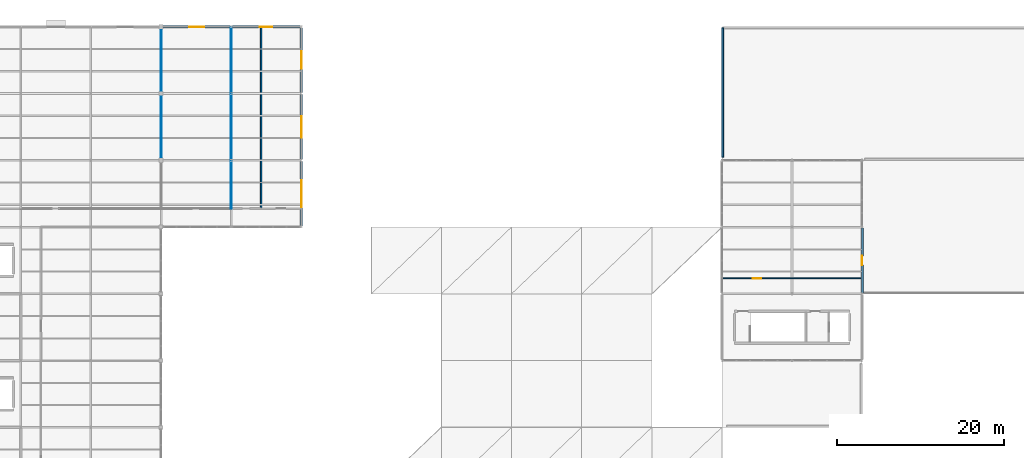
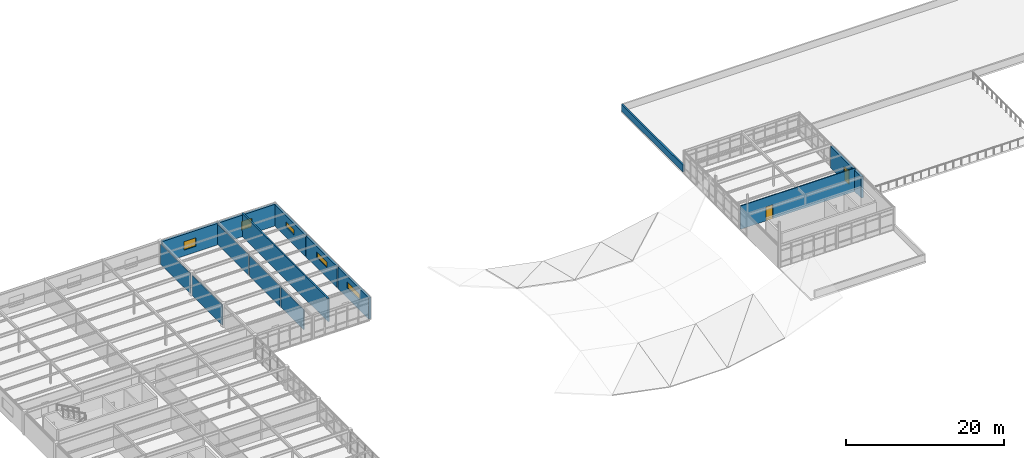
# One storey, part 27 of 32: 14 walls, 5 windows, 2 doors, 7 openings.
"""IFC4 building model written with IfcOpenShell, lengths in metres."""

from ifc_helpers import new_model, si_unit, direction, frame, frame_2d, origin, place, context, subcontext, project, spatial, rectangle, extrude, material, layer, layer_set, type_object, element, fill, save


model = new_model("IFC4")

# Units and contexts
model_context = context("Model", 3, precision=1e-05, world=origin(), true_north=direction((0.0, 1.0)))
body_context = subcontext(model_context, "Body", "Model", "MODEL_VIEW")
ifc_project = project(units=[si_unit("LENGTHUNIT", "METRE"), si_unit("AREAUNIT", "SQUARE_METRE"), si_unit("VOLUMEUNIT", "CUBIC_METRE"), si_unit("PLANEANGLEUNIT", "RADIAN"), si_unit("MASSUNIT", "GRAM", prefix="KILO")], contexts=[model_context])

# Site, building, storey
site_placement = place(None, origin())
site = spatial("IfcSite", under=ifc_project, at=site_placement, CompositionType="ELEMENT")
building_placement = place(site_placement, origin())
building = spatial("IfcBuilding", under=site, at=building_placement, Name="Kranzveld Transit Interchange", CompositionType="ELEMENT")
storey_placement = place(building_placement, frame((0.0, 0.0, 17.199951171875)))
storey = spatial("IfcBuildingStorey", under=building, at=storey_placement, Name="L04", CompositionType="ELEMENT", Elevation=17.199951171875)

# Wall, opening, window
ifc_material_1 = material(Name="Pretoria red-purple clinker clay face brick, 35 MPa", Category="masonry")
ifc_layer_1 = layer(ifc_material_1, 0.320068359375)
ifc_layer_set_1 = layer_set([ifc_layer_1], Name="Pretoria red-purple clinker clay face brick, 35 MPa")
wall_type_1 = type_object("IfcWallType", Name="Exterior Upper Wall Red Clinker 320", PredefinedType="SOLIDWALL", material=ifc_layer_set_1)
wall_1_placement = place(storey_placement, frame((33.85009765625, 112.0, 0.0), z_axis=(0.0, 0.0, 1.0), x_axis=(1.0, 0.0, 0.0)))
wall_1 = element("IfcWall", 1, at=wall_1_placement, inside=storey, type_object=wall_type_1, Name="L04 Clinker Facade Wall 05/Q-06/Q", PredefinedType="SOLIDWALL", context=body_context, shape_type="SweptSolid", body=[
    extrude(rectangle(XDim=8.047119140625, YDim=0.320068359375, at=frame_2d((4.0234375, 0.0))), origin(), (0.0, 0.0, 1.0), 3.330078125),
])
opening_1_placement = place(wall_1_placement, frame((3.12353515625, 0.0, 0.89990234375), z_axis=(0.0, 0.0, 1.0), x_axis=(1.0, 0.0, 0.0)))
opening_1 = element("IfcOpeningElement", 2, at=opening_1_placement, cuts=wall_1, Name="Opening W-12", PredefinedType="OPENING", context=body_context, shape_type="SweptSolid", body=[
    extrude(rectangle(XDim=1.800048828125, YDim=1.300048828125, at=frame_2d((0.89990234375, 0.64990234375))), frame((0.0, 0.169921875, 0.0), z_axis=(0.0, -1.0, 0.0), x_axis=(1.0, 0.0, 0.0)), (0.0, 0.0, 1.0), 0.340087890625),
])
ifc_material_2 = material(Name="Solar-control double glazing", Category="glass")
window_type_1 = type_object("IfcWindowType", Name="Window Studio Double 1800x1300", PartitioningType="DOUBLE_PANEL_VERTICAL", PredefinedType="WINDOW", material=ifc_material_2)
window_1_placement = place(opening_1_placement, origin())
window_1 = element("IfcWindow", 3, at=window_1_placement, inside=storey, type_object=window_type_1, Name="L04 Facade Window 05/Q", OverallHeight=1.300048828125, OverallWidth=1.800048828125, PartitioningType="DOUBLE_PANEL_VERTICAL", PredefinedType="WINDOW", context=body_context, shape_type="SweptSolid", body=[
    extrude(rectangle(XDim=1.800048828125, YDim=1.300048828125, at=frame_2d((0.89990234375, 0.64990234375))), frame((0.0, 0.030029296875, 0.0), z_axis=(0.0, -1.0, 0.0), x_axis=(1.0, 0.0, 0.0)), (0.0, 0.0, 1.0), 0.06005859375),
])
fill(opening_1, window_1)

wall_2_placement = place(storey_placement, frame((42.102783203125, 112.0, 0.0), z_axis=(0.0, 0.0, 1.0), x_axis=(1.0, 0.0, 0.0)))
wall_2 = element("IfcWall", 4, at=wall_2_placement, inside=storey, type_object=wall_type_1, Name="L04 Clinker Facade Wall 06/Q-07/Q", PredefinedType="SOLIDWALL", context=body_context, shape_type="SweptSolid", body=[
    extrude(rectangle(XDim=8.1943359375, YDim=0.320068359375, at=frame_2d((4.09716796875, 0.0))), origin(), (0.0, 0.0, 1.0), 3.330078125),
])
opening_2_placement = place(wall_2_placement, frame((3.34716796875, 0.0, 0.89990234375), z_axis=(0.0, 0.0, 1.0), x_axis=(1.0, 0.0, 0.0)))
opening_2 = element("IfcOpeningElement", 5, at=opening_2_placement, cuts=wall_2, Name="Opening W-13", PredefinedType="OPENING", context=body_context, shape_type="SweptSolid", body=[
    extrude(rectangle(XDim=1.5, YDim=1.39990234375, at=frame_2d((0.75, 0.699951171875))), frame((0.0, 0.169921875, 0.0), z_axis=(0.0, -1.0, 0.0), x_axis=(1.0, 0.0, 0.0)), (0.0, 0.0, 1.0), 0.340087890625),
])
ifc_material_3 = material(Name="Solar-control double glazing", Category="glass")
window_type_2 = type_object("IfcWindowType", Name="Window Studio Single 1500x1400", PartitioningType="SINGLE_PANEL", PredefinedType="WINDOW", material=ifc_material_3)
window_2_placement = place(opening_2_placement, origin())
window_2 = element("IfcWindow", 6, at=window_2_placement, inside=storey, type_object=window_type_2, Name="L04 Facade Window 06/Q", OverallHeight=1.39990234375, OverallWidth=1.5, PartitioningType="SINGLE_PANEL", PredefinedType="WINDOW", context=body_context, shape_type="SweptSolid", body=[
    extrude(rectangle(XDim=1.5, YDim=1.39990234375, at=frame_2d((0.75, 0.699951171875))), frame((0.0, 0.030029296875, 0.0), z_axis=(0.0, -1.0, 0.0), x_axis=(1.0, 0.0, 0.0)), (0.0, 0.0, 1.0), 0.06005859375),
])
fill(opening_2, window_2)

wall_3_placement = place(storey_placement, frame((50.39990234375, 88.104736328125, 0.0), z_axis=(0.0, 0.0, 1.0), x_axis=(0.0, 1.0, 0.0)))
wall_3 = element("IfcWall", 7, at=wall_3_placement, inside=storey, type_object=wall_type_1, Name="L04 Clinker Facade Wall 07/M-07/N", PredefinedType="SOLIDWALL", context=body_context, shape_type="SweptSolid", body=[
    extrude(rectangle(XDim=7.79052734375, YDim=0.320068359375, at=frame_2d((3.895263671875, 0.0))), origin(), (0.0, 0.0, 1.0), 3.2900390625),
])
opening_3_placement = place(wall_3_placement, frame((2.295166015625, 0.0, 1.550048828125), z_axis=(0.0, 0.0, 1.0), x_axis=(1.0, 0.0, 0.0)))
opening_3 = element("IfcOpeningElement", 8, at=opening_3_placement, cuts=wall_3, Name="Opening W-14", PredefinedType="OPENING", context=body_context, shape_type="SweptSolid", body=[
    extrude(rectangle(XDim=3.199951171875, YDim=0.89990234375, at=frame_2d((1.60009765625, 0.449951171875))), frame((0.0, 0.169921875, 0.0), z_axis=(0.0, -1.0, 0.0), x_axis=(1.0, 0.0, 0.0)), (0.0, 0.0, 1.0), 0.340087890625),
])
ifc_material_4 = material(Name="Solar-control double glazing", Category="glass")
window_type_3 = type_object("IfcWindowType", Name="Window Clerestory 3200x900", PartitioningType="TRIPLE_PANEL_HORIZONTAL", PredefinedType="WINDOW", material=ifc_material_4)
window_3_placement = place(opening_3_placement, origin())
window_3 = element("IfcWindow", 9, at=window_3_placement, inside=storey, type_object=window_type_3, Name="L04 Facade Window 07/M", OverallHeight=0.89990234375, OverallWidth=3.199951171875, PartitioningType="TRIPLE_PANEL_HORIZONTAL", PredefinedType="WINDOW", context=body_context, shape_type="SweptSolid", body=[
    extrude(rectangle(XDim=3.199951171875, YDim=0.89990234375, at=frame_2d((1.60009765625, 0.449951171875))), frame((0.0, 0.030029296875, 0.0), z_axis=(0.0, -1.0, 0.0), x_axis=(1.0, 0.0, 0.0)), (0.0, 0.0, 1.0), 0.06005859375),
])
fill(opening_3, window_3)

wall_4_placement = place(storey_placement, frame((50.39990234375, 96.104736328125, 0.0), z_axis=(0.0, 0.0, 1.0), x_axis=(0.0, 1.0, 0.0)))
wall_4 = element("IfcWall", 10, at=wall_4_placement, inside=storey, type_object=wall_type_1, Name="L04 Clinker Facade Wall 07/N-07/P", PredefinedType="SOLIDWALL", context=body_context, shape_type="SweptSolid", body=[
    extrude(rectangle(XDim=7.79052734375, YDim=0.320068359375, at=frame_2d((3.895263671875, 0.0))), origin(), (0.0, 0.0, 1.0), 3.2900390625),
])
opening_4_placement = place(wall_4_placement, frame((2.59521484375, 0.0, 1.550048828125), z_axis=(0.0, 0.0, 1.0), x_axis=(1.0, 0.0, 0.0)))
opening_4 = element("IfcOpeningElement", 11, at=opening_4_placement, cuts=wall_4, Name="Opening W-15", PredefinedType="OPENING", context=body_context, shape_type="SweptSolid", body=[
    extrude(rectangle(XDim=2.60009765625, YDim=0.85009765625, at=frame_2d((1.300048828125, 0.425048828125))), frame((0.0, 0.169921875, 0.0), z_axis=(0.0, -1.0, 0.0), x_axis=(1.0, 0.0, 0.0)), (0.0, 0.0, 1.0), 0.340087890625),
])
ifc_material_5 = material(Name="Solar-control double glazing", Category="glass")
window_type_4 = type_object("IfcWindowType", Name="Window Clerestory 2600x850", PartitioningType="DOUBLE_PANEL_HORIZONTAL", PredefinedType="WINDOW", material=ifc_material_5)
window_4_placement = place(opening_4_placement, origin())
window_4 = element("IfcWindow", 12, at=window_4_placement, inside=storey, type_object=window_type_4, Name="L04 Facade Window 07/N", OverallHeight=0.85009765625, OverallWidth=2.60009765625, PartitioningType="DOUBLE_PANEL_HORIZONTAL", PredefinedType="WINDOW", context=body_context, shape_type="SweptSolid", body=[
    extrude(rectangle(XDim=2.60009765625, YDim=0.85009765625, at=frame_2d((1.300048828125, 0.425048828125))), frame((0.0, 0.030029296875, 0.0), z_axis=(0.0, -1.0, 0.0), x_axis=(1.0, 0.0, 0.0)), (0.0, 0.0, 1.0), 0.06005859375),
])
fill(opening_4, window_4)

wall_5_placement = place(storey_placement, frame((50.39990234375, 104.104736328125, 0.0), z_axis=(0.0, 0.0, 1.0), x_axis=(0.0, 1.0, 0.0)))
wall_5 = element("IfcWall", 13, at=wall_5_placement, inside=storey, type_object=wall_type_1, Name="L04 Clinker Facade Wall 07/P-07/Q", PredefinedType="SOLIDWALL", context=body_context, shape_type="SweptSolid", body=[
    extrude(rectangle(XDim=7.79052734375, YDim=0.320068359375, at=frame_2d((3.895263671875, 0.0))), origin(), (0.0, 0.0, 1.0), 3.2900390625),
])
opening_5_placement = place(wall_5_placement, frame((2.84521484375, 0.0, 1.550048828125), z_axis=(0.0, 0.0, 1.0), x_axis=(1.0, 0.0, 0.0)))
opening_5 = element("IfcOpeningElement", 14, at=opening_5_placement, cuts=wall_5, Name="Opening W-16", PredefinedType="OPENING", context=body_context, shape_type="SweptSolid", body=[
    extrude(rectangle(XDim=2.10009765625, YDim=0.800048828125, at=frame_2d((1.050048828125, 0.39990234375))), frame((0.0, 0.169921875, 0.0), z_axis=(0.0, -1.0, 0.0), x_axis=(1.0, 0.0, 0.0)), (0.0, 0.0, 1.0), 0.340087890625),
])
ifc_material_6 = material(Name="Solar-control double glazing", Category="glass")
window_type_5 = type_object("IfcWindowType", Name="Window Clerestory 2100x800", PartitioningType="DOUBLE_PANEL_HORIZONTAL", PredefinedType="WINDOW", material=ifc_material_6)
window_5_placement = place(opening_5_placement, origin())
window_5 = element("IfcWindow", 15, at=window_5_placement, inside=storey, type_object=window_type_5, Name="L04 Facade Window 07/P", OverallHeight=0.800048828125, OverallWidth=2.10009765625, PartitioningType="DOUBLE_PANEL_HORIZONTAL", PredefinedType="WINDOW", context=body_context, shape_type="SweptSolid", body=[
    extrude(rectangle(XDim=2.10009765625, YDim=0.800048828125, at=frame_2d((1.050048828125, 0.39990234375))), frame((0.0, 0.030029296875, 0.0), z_axis=(0.0, -1.0, 0.0), x_axis=(1.0, 0.0, 0.0)), (0.0, 0.0, 1.0), 0.06005859375),
])
fill(opening_5, window_5)

# Wall, opening, door
wall_6_placement = place(storey_placement, frame((117.60009765625, 80.104736328125, 0.0), z_axis=(0.0, 0.0, 1.0), x_axis=(0.0, 1.0, 0.0)))
wall_6 = element("IfcWall", 16, at=wall_6_placement, inside=storey, type_object=wall_type_1, Name="L04 Clinker Facade Wall 15/L-15/M", PredefinedType="SOLIDWALL", context=body_context, shape_type="SweptSolid", body=[
    extrude(rectangle(XDim=7.79052734375, YDim=0.320068359375, at=frame_2d((3.895263671875, 0.0))), origin(), (0.0, 0.0, 1.0), 3.2900390625),
])
opening_6_placement = place(wall_6_placement, frame((4.4453125, 0.0, 0.0), z_axis=(0.0, 0.0, 1.0), x_axis=(-1.0, 0.0, 0.0)))
opening_6 = element("IfcOpeningElement", 17, at=opening_6_placement, cuts=wall_6, Name="Opening ED-L04-19", PredefinedType="OPENING", context=body_context, shape_type="SweptSolid", body=[
    extrude(rectangle(XDim=1.10009765625, YDim=2.14990234375, at=frame_2d((0.550048828125, 1.074951171875))), frame((0.0, 0.169921875, 0.0), z_axis=(0.0, -1.0, 0.0), x_axis=(1.0, 0.0, 0.0)), (0.0, 0.0, 1.0), 0.340087890625),
])
ifc_material_7 = material(Name="Bronze-anodised thermally broken aluminium", Category="aluminium")
door_type_1 = type_object("IfcDoorType", Name="Terrace Single Access Door 1100x2150", OperationType="NOTDEFINED", PredefinedType="DOOR", material=ifc_material_7)
door_1_placement = place(opening_6_placement, origin())
door_1 = element("IfcDoor", 18, at=door_1_placement, inside=storey, type_object=door_type_1, Name="L04 Terrace Door TERR_L04_V4G", OperationType="SINGLE_SWING_LEFT", OverallHeight=2.14990234375, OverallWidth=1.10009765625, PredefinedType="DOOR", context=body_context, shape_type="SweptSolid", body=[
    extrude(rectangle(XDim=1.10009765625, YDim=2.14990234375, at=frame_2d((0.550048828125, 1.074951171875))), frame((0.0, 0.02490234375, 0.0), z_axis=(0.0, -1.0, 0.0), x_axis=(1.0, 0.0, 0.0)), (0.0, 0.0, 1.0), 0.050048828125),
])
fill(opening_6, door_1)

ifc_material_8 = material(Name="Clay masonry unit wall, 20 MPa", Category="masonry")
ifc_layer_2 = layer(ifc_material_8, 0.125)
ifc_layer_set_2 = layer_set([ifc_layer_2], Name="Clay masonry unit wall, 20 MPa")
wall_type_2 = type_object("IfcWallType", Name="Internal Blockwork Partition 125", PredefinedType="PARTITIONING", material=ifc_layer_set_2)
wall_7_placement = place(storey_placement, frame((100.840087890625, 81.85009765625, 0.0), z_axis=(0.0, 0.0, 1.0), x_axis=(1.0, 0.0, 0.0)))
wall_7 = element("IfcWall", 19, at=wall_7_placement, inside=storey, type_object=wall_type_2, Name="L04 Partition IW-L04-L04V4N-FRT-401-0", PredefinedType="PARTITIONING", context=body_context, shape_type="SweptSolid", body=[
    extrude(rectangle(XDim=16.719970703125, YDim=0.125, at=frame_2d((8.35986328125, 0.0))), origin(), (0.0, 0.0, 1.0), 3.590087890625),
])
opening_7_placement = place(wall_7_placement, frame((3.659912109375, 0.0, 0.0), z_axis=(0.0, 0.0, 1.0), x_axis=(1.0, 0.0, 0.0)))
opening_7 = element("IfcOpeningElement", 20, at=opening_7_placement, cuts=wall_7, Name="Opening D-401", PredefinedType="OPENING", context=body_context, shape_type="SweptSolid", body=[
    extrude(rectangle(XDim=1.02001953125, YDim=2.159912109375, at=frame_2d((0.510009765625, 1.080078125))), frame((0.0, 0.072509765625, 0.0), z_axis=(0.0, -1.0, 0.0), x_axis=(1.0, 0.0, 0.0)), (0.0, 0.0, 1.0), 0.14501953125),
])
ifc_material_9 = material(Name="Bronze-anodised thermally broken aluminium", Category="aluminium")
door_type_2 = type_object("IfcDoorType", Name="Studio Wide Door 1020x2160", OperationType="NOTDEFINED", PredefinedType="DOOR", material=ifc_material_9)
door_2_placement = place(opening_7_placement, origin())
door_2 = element("IfcDoor", 21, at=door_2_placement, inside=storey, type_object=door_type_2, Name="L04 Interior Door D-401", OperationType="SINGLE_SWING_LEFT", OverallHeight=2.159912109375, OverallWidth=1.02001953125, PredefinedType="DOOR", context=body_context, shape_type="SweptSolid", body=[
    extrude(rectangle(XDim=1.02001953125, YDim=2.159912109375, at=frame_2d((0.510009765625, 1.080078125))), frame((0.0, 0.02490234375, 0.0), z_axis=(0.0, -1.0, 0.0), x_axis=(1.0, 0.0, 0.0)), (0.0, 0.0, 1.0), 0.050048828125),
])
fill(opening_7, door_2)

# Walls
ifc_material_10 = material(Name="Clay masonry unit wall, 20 MPa", Category="masonry")
ifc_layer_3 = layer(ifc_material_10, 0.114990234375)
ifc_layer_set_3 = layer_set([ifc_layer_3], Name="Clay masonry unit wall, 20 MPa")
wall_type_3 = type_object("IfcWallType", Name="Internal Masonry Partition 115", PredefinedType="PARTITIONING", material=ifc_layer_set_3)
for number, where, z_axis, x_axis, name in (
    (22, (33.60009765625, 96.239990234375, 0.0), (0.0, 0.0, 1.0), (0.0, 1.0, 0.0), "L04 Partition IW-L04-L04V5N-E-407-1"),
    (23, (33.60009765625, 104.239990234375, 0.0), (0.0, 0.0, 1.0), (0.0, 1.0, 0.0), "L04 Partition IW-L04-L04V5N-E-407-2"),
):
    element("IfcWall", number, at=place(storey_placement, frame(where, z_axis=z_axis, x_axis=x_axis)), inside=storey, type_object=wall_type_3, Name=name, PredefinedType="PARTITIONING", context=body_context, shape_type="SweptSolid", body=[
        extrude(rectangle(XDim=7.52001953125, YDim=0.114990234375, at=frame_2d((3.760009765625, 0.0))), origin(), (0.0, 0.0, 1.0), 3.13671875),
    ])
ifc_material_11 = material(Name="Clay masonry unit wall, 20 MPa", Category="masonry")
ifc_layer_4 = layer(ifc_material_11, 0.10009765625)
ifc_layer_set_4 = layer_set([ifc_layer_4], Name="Clay masonry unit wall, 20 MPa")
wall_type_4 = type_object("IfcWallType", Name="Lightweight Drywall Partition 100", PredefinedType="PARTITIONING", material=ifc_layer_set_4)
wall_8_placement = place(storey_placement, frame((42.0, 90.199951171875, 0.0), z_axis=(0.0, 0.0, 1.0), x_axis=(0.0, 1.0, 0.0)))
element("IfcWall", 24, at=wall_8_placement, inside=storey, type_object=wall_type_4, Name="L04 Partition IW-L04-L04V5N-E-410-0", PredefinedType="PARTITIONING", context=body_context, shape_type="SweptSolid", body=[
    extrude(rectangle(XDim=5.705322265625, YDim=0.10009765625, at=frame_2d((2.8525390625, 0.0))), origin(), (0.0, 0.0, 1.0), 3.13671875),
])
for number, where, z_axis, x_axis, name in (
    (25, (42.0, 96.0947265625, 0.0), (0.0, 0.0, 1.0), (0.0, 1.0, 0.0), "L04 Partition IW-L04-L04V5N-E-410-1"),
    (26, (42.0, 104.0947265625, 0.0), (0.0, 0.0, 1.0), (0.0, 1.0, 0.0), "L04 Partition IW-L04-L04V5N-E-410-2"),
):
    element("IfcWall", number, at=place(storey_placement, frame(where, z_axis=z_axis, x_axis=x_axis)), inside=storey, type_object=wall_type_4, Name=name, PredefinedType="PARTITIONING", context=body_context, shape_type="SweptSolid", body=[
        extrude(rectangle(XDim=7.810546875, YDim=0.10009765625, at=frame_2d((3.9052734375, 0.0))), origin(), (0.0, 0.0, 1.0), 3.13671875),
    ])
ifc_material_12 = material(Name="Pretoria red-purple clinker clay face brick, 35 MPa", Category="masonry")
ifc_layer_5 = layer(ifc_material_12, 0.22998046875)
ifc_layer_set_5 = layer_set([ifc_layer_5], Name="Pretoria red-purple clinker clay face brick, 35 MPa")
wall_type_5 = type_object("IfcWallType", Name="Roof Parapet Wall Clinker Brick 230", PredefinedType="PARAPET", material=ifc_layer_set_5)
wall_9_placement = place(storey_placement, frame((100.919921875, 96.35009765625, 0.0), z_axis=(0.0, 0.0, 1.0), x_axis=(0.0, 1.0, 0.0)))
element("IfcWall", 27, at=wall_9_placement, inside=storey, type_object=wall_type_5, Name="L04 Roof Parapet 038", PredefinedType="PARAPET", context=body_context, shape_type="SweptSolid", body=[
    extrude(rectangle(XDim=15.52978515625, YDim=0.22998046875, at=frame_2d((7.764892578125, 0.0))), origin(), (0.0, 0.0, 1.0), 1.050048828125),
])
ifc_material_13 = material(Name="Clay masonry unit wall, 20 MPa", Category="masonry")
ifc_layer_6 = layer(ifc_material_13, 0.18994140625)
ifc_layer_set_6 = layer_set([ifc_layer_6], Name="Clay masonry unit wall, 20 MPa")
wall_type_6 = type_object("IfcWallType", Name="Sanitary Plumbing Wall 190", PredefinedType="PLUMBINGWALL", material=ifc_layer_set_6)
wall_10_placement = place(storey_placement, frame((45.60009765625, 90.199951171875, 0.0), z_axis=(0.0, 0.0, 1.0), x_axis=(0.0, 1.0, 0.0)))
element("IfcWall", 28, at=wall_10_placement, inside=storey, type_object=wall_type_6, Name="L04 Partition IW-L04-L04V5NWC-MID-408-0", PredefinedType="PLUMBINGWALL", context=body_context, shape_type="SweptSolid", body=[
    extrude(rectangle(XDim=21.760009765625, YDim=0.18994140625, at=frame_2d((10.8798828125, 0.0))), origin(), (0.0, 0.0, 1.0), 3.590087890625),
])

save(model, "model.ifc")
